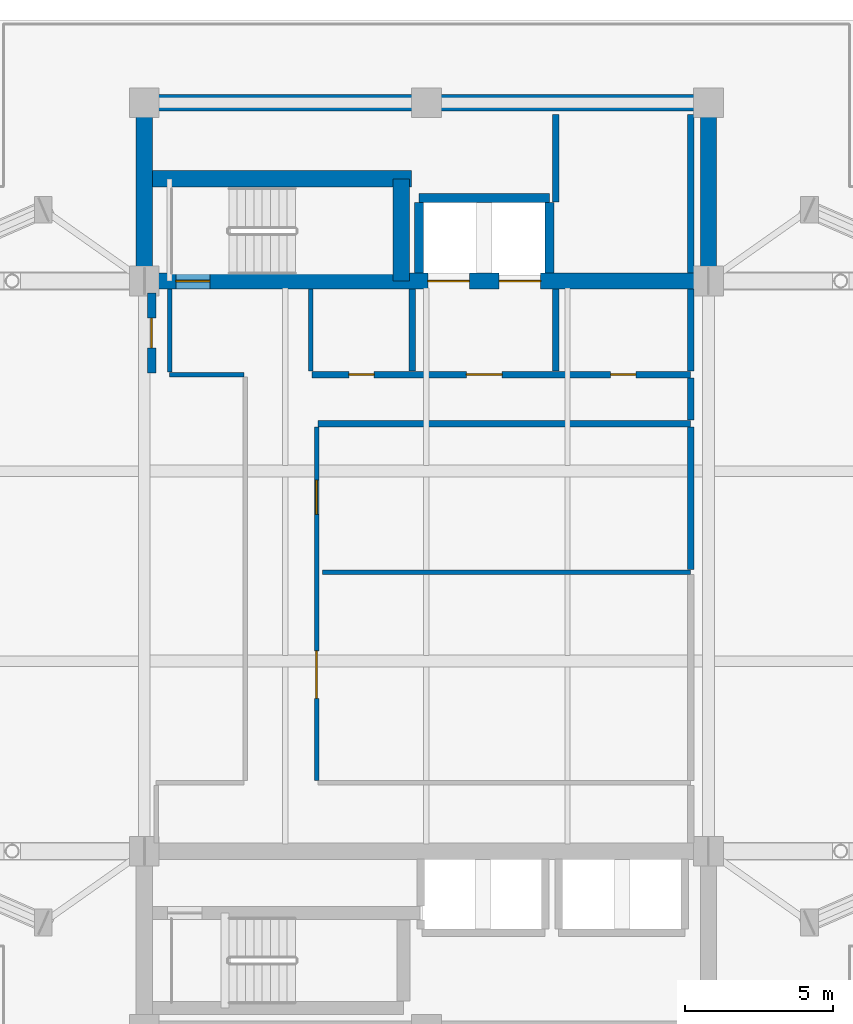
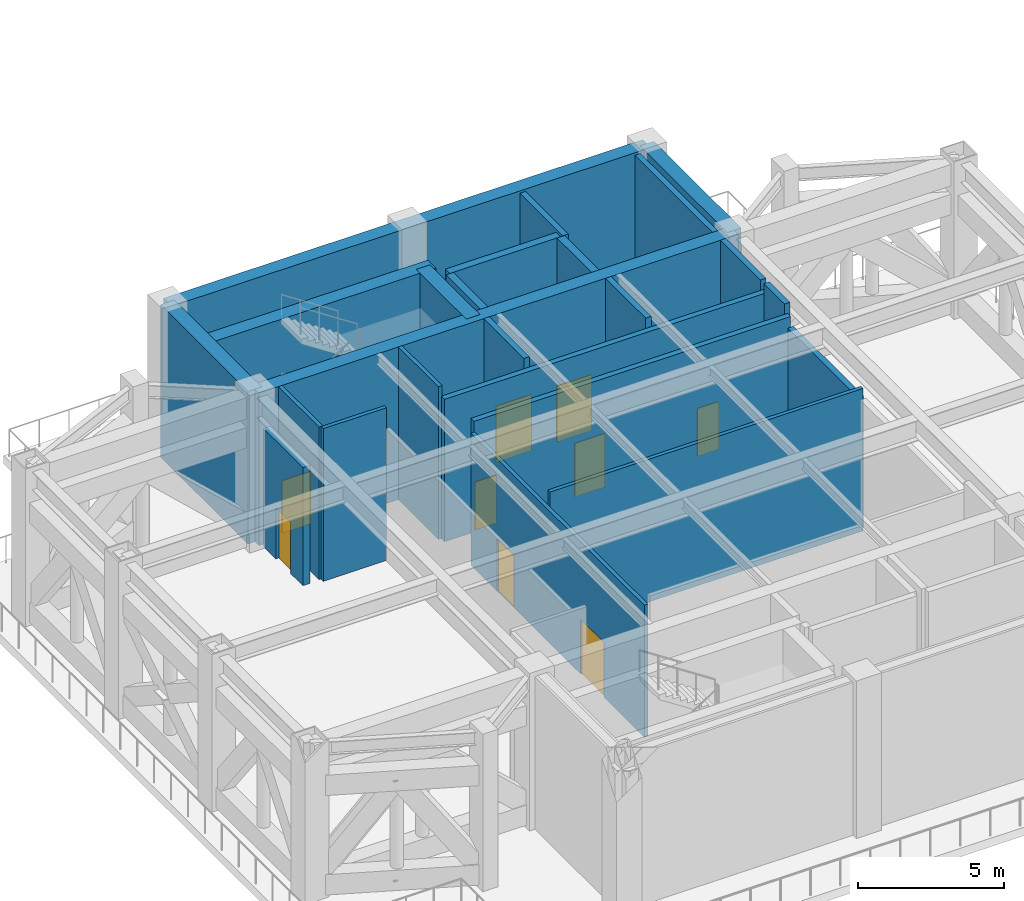
# One storey, part 10 of 18: 24 walls, 9 doors, 9 openings.
"""IFC4 building model written with IfcOpenShell, lengths in metres."""

from ifc_helpers import new_model, si_unit, direction, frame, frame_2d, origin, place, context, subcontext, project, spatial, rectangle, extrude, material, layer, layer_set, type_object, element, fill, save


model = new_model("IFC4")

# Units and contexts
model_context = context("Model", 3, precision=1e-05, world=origin(), true_north=direction((0.0, 1.0)))
body_context = subcontext(model_context, "Body", "Model", "MODEL_VIEW")
ifc_project = project(units=[si_unit("LENGTHUNIT", "METRE"), si_unit("AREAUNIT", "SQUARE_METRE"), si_unit("VOLUMEUNIT", "CUBIC_METRE"), si_unit("PLANEANGLEUNIT", "RADIAN"), si_unit("MASSUNIT", "GRAM", prefix="KILO")], contexts=[model_context])

# Site, building, storey
site_placement = place(None, origin())
site = spatial("IfcSite", under=ifc_project, at=site_placement, CompositionType="ELEMENT")
building_placement = place(site_placement, origin())
building = spatial("IfcBuilding", under=site, at=building_placement, Name="Mirazonda Arch Towers", CompositionType="ELEMENT")
storey_placement = place(building_placement, frame((0.0, 0.0, 147.800048828125)))
storey = spatial("IfcBuildingStorey", under=building, at=storey_placement, Name="L42", CompositionType="ELEMENT", Elevation=147.800048828125)

# Walls
ifc_material_1 = material(Name="Concrete C50/60", Category="concrete")
ifc_layer_1 = layer(ifc_material_1, 0.550048828125, Name="WALL-CORE-550")
ifc_layer_set_1 = layer_set([ifc_layer_1], Name="Concrete C50/60")
wall_type_1 = type_object("IfcWallType", Name="WALL-CORE-550", PredefinedType="SHEAR", material=ifc_layer_set_1)
wall_1_placement = place(storey_placement, frame((11.0, 43.60009765625, 0.0), z_axis=(0.0, 0.0, 1.0), x_axis=(1.0, 0.0, 0.0)))
element("IfcWall", 1, at=wall_1_placement, inside=storey, type_object=wall_type_1, Name="L42 T1N-N Core Shear Wall", PredefinedType="SHEAR", context=body_context, shape_type="SweptSolid", body=[
    extrude(rectangle(XDim=19.0, YDim=0.550048828125, at=frame_2d((9.5, 0.0))), origin(), (0.0, 0.0, 1.0), 6.39990234375),
])
for number, where, z_axis, x_axis, name in (
    (2, (11.0, 37.60009765625, 0.0), (0.0, 0.0, 1.0), (0.0, 1.0, 0.0), "L42 T1N-W Core Shear Wall"),
    (3, (30.0, 37.60009765625, 0.0), (0.0, 0.0, 1.0), (0.0, 1.0, 0.0), "L42 T1N-E Core Shear Wall"),
):
    element("IfcWall", number, at=place(storey_placement, frame(where, z_axis=z_axis, x_axis=x_axis)), inside=storey, type_object=wall_type_1, Name=name, PredefinedType="SHEAR", context=body_context, shape_type="SweptSolid", body=[
        extrude(rectangle(XDim=6.0, YDim=0.550048828125, at=frame_2d((3.0, 0.0))), origin(), (0.0, 0.0, 1.0), 6.39990234375),
    ])

# Wall, openings, doors
wall_2_placement = place(storey_placement, frame((11.0, 37.60009765625, 0.0), z_axis=(0.0, 0.0, 1.0), x_axis=(1.0, 0.0, 0.0)))
wall_2 = element("IfcWall", 4, at=wall_2_placement, inside=storey, type_object=wall_type_1, Name="L42 T1N-S Core Shear Wall", PredefinedType="SHEAR", context=body_context, shape_type="SweptSolid", body=[
    extrude(rectangle(XDim=19.0, YDim=0.550048828125, at=frame_2d((9.5, 0.0))), origin(), (0.0, 0.0, 1.0), 6.39990234375),
])
opening_1_placement = place(wall_2_placement, frame((1.06005859375, 0.0, 0.0)))
opening_1 = element("IfcOpeningElement", 5, at=opening_1_placement, cuts=wall_2, Name="Opening DR-135", PredefinedType="OPENING", context=body_context, shape_type="SweptSolid", body=[
    extrude(rectangle(XDim=1.14990234375, YDim=2.199951171875, at=frame_2d((0.574951171875, 1.10009765625))), frame((0.0, 0.284912109375, 0.0), z_axis=(0.0, -1.0, 0.0), x_axis=(1.0, 0.0, 0.0)), (0.0, 0.0, 1.0), 0.570068359375),
])
opening_2_placement = place(wall_2_placement, frame((9.550048828125, 0.0, 0.0)))
opening_2 = element("IfcOpeningElement", 6, at=opening_2_placement, cuts=wall_2, Name="Opening LD-112", PredefinedType="OPENING", context=body_context, shape_type="SweptSolid", body=[
    extrude(rectangle(XDim=1.39990234375, YDim=2.35009765625, at=frame_2d((0.699951171875, 1.175048828125))), frame((0.0, 0.284912109375, 0.0), z_axis=(0.0, -1.0, 0.0), x_axis=(1.0, 0.0, 0.0)), (0.0, 0.0, 1.0), 0.570068359375),
])
opening_3_placement = place(wall_2_placement, frame((11.949951171875, 0.0, 0.0)))
opening_3 = element("IfcOpeningElement", 7, at=opening_3_placement, cuts=wall_2, Name="Opening LD-112", PredefinedType="OPENING", context=body_context, shape_type="SweptSolid", body=[
    extrude(rectangle(XDim=1.39990234375, YDim=2.35009765625, at=frame_2d((0.699951171875, 1.175048828125))), frame((0.0, 0.284912109375, 0.0), z_axis=(0.0, -1.0, 0.0), x_axis=(1.0, 0.0, 0.0)), (0.0, 0.0, 1.0), 0.570068359375),
])
ifc_material_2 = material(Name="Architectural Brushed Steel S355", Category="steel")
door_type_1 = type_object("IfcDoorType", Name="DOOR-LIFT-FFL-1400", OperationType="NOTDEFINED", PredefinedType="DOOR", material=ifc_material_2)
door_1_placement = place(opening_2_placement, origin())
door_1 = element("IfcDoor", 8, at=door_1_placement, inside=storey, type_object=door_type_1, Name="L42 Lift Landing Sliding Door FFL-T1", OperationType="DOUBLE_DOOR_SLIDING", OverallHeight=2.35009765625, OverallWidth=1.39990234375, PredefinedType="DOOR", context=body_context, shape_type="SweptSolid", body=[
    extrude(rectangle(XDim=1.39990234375, YDim=2.35009765625, at=frame_2d((0.699951171875, 1.175048828125))), frame((0.0, 0.02490234375, 0.0), z_axis=(0.0, -1.0, 0.0), x_axis=(1.0, 0.0, 0.0)), (0.0, 0.0, 1.0), 0.050048828125),
])
fill(opening_2, door_1)
door_2_placement = place(opening_3_placement, origin())
door_2 = element("IfcDoor", 9, at=door_2_placement, inside=storey, type_object=door_type_1, Name="L42 Lift Landing Sliding Door SVL-T1", OperationType="DOUBLE_DOOR_SLIDING", OverallHeight=2.35009765625, OverallWidth=1.39990234375, PredefinedType="DOOR", context=body_context, shape_type="SweptSolid", body=[
    extrude(rectangle(XDim=1.39990234375, YDim=2.35009765625, at=frame_2d((0.699951171875, 1.175048828125))), frame((0.0, 0.02490234375, 0.0), z_axis=(0.0, -1.0, 0.0), x_axis=(1.0, 0.0, 0.0)), (0.0, 0.0, 1.0), 0.050048828125),
])
fill(opening_3, door_2)
door_type_2 = type_object("IfcDoorType", Name="DOOR-STAIR-FD90-1150", OperationType="NOTDEFINED", PredefinedType="DOOR", material=ifc_material_2)
door_3_placement = place(opening_1_placement, origin())
door_3 = element("IfcDoor", 10, at=door_3_placement, inside=storey, type_object=door_type_2, Name="L42 Protected Exit Stair North Door", OperationType="SINGLE_SWING_RIGHT", OverallHeight=2.199951171875, OverallWidth=1.14990234375, PredefinedType="DOOR", context=body_context, shape_type="SweptSolid", body=[
    extrude(rectangle(XDim=1.14990234375, YDim=2.199951171875, at=frame_2d((0.574951171875, 1.10009765625))), frame((0.0, 0.02490234375, 0.0), z_axis=(0.0, -1.0, 0.0), x_axis=(1.0, 0.0, 0.0)), (0.0, 0.0, 1.0), 0.050048828125),
])
fill(opening_1, door_3)

# Walls
wall_3_placement = place(storey_placement, frame((11.0, 41.04296875, 0.0), z_axis=(0.0, 0.0, 1.0), x_axis=(1.0, 0.0, 0.0)))
element("IfcWall", 11, at=wall_3_placement, inside=storey, type_object=wall_type_1, Name="L42 T1N-STN Core Shear Wall", PredefinedType="SHEAR", context=body_context, shape_type="SweptSolid", body=[
    extrude(rectangle(XDim=9.0, YDim=0.550048828125, at=frame_2d((4.5, 0.0))), origin(), (0.0, 0.0, 1.0), 6.39990234375),
])
wall_4_placement = place(storey_placement, frame((19.64990234375, 37.60009765625, 0.0), z_axis=(0.0, 0.0, 1.0), x_axis=(0.0, 1.0, 0.0)))
element("IfcWall", 12, at=wall_4_placement, inside=storey, type_object=wall_type_1, Name="L42 T1N-STE Core Shear Wall", PredefinedType="SHEAR", context=body_context, shape_type="SweptSolid", body=[
    extrude(rectangle(XDim=3.44287109375, YDim=0.550048828125, at=frame_2d((1.721435546875, 0.0))), origin(), (0.0, 0.0, 1.0), 6.39990234375),
])

# Wall, opening, door
ifc_material_3 = material(Name="Precast Concrete C40/50", Category="concrete")
ifc_layer_2 = layer(ifc_material_3, 0.280029296875, Name="WALL-EXT-WALL-280")
ifc_layer_set_2 = layer_set([ifc_layer_2], Name="Precast Concrete C40/50")
wall_type_2 = type_object("IfcWallType", Name="WALL-EXT-WALL-280", PredefinedType="SOLIDWALL", material=ifc_layer_set_2)
wall_5_placement = place(storey_placement, frame((11.25, 37.199951171875, 0.0), z_axis=(0.0, 0.0, 1.0), x_axis=(0.0, -1.0, 0.0)))
wall_5 = element("IfcWall", 13, at=wall_5_placement, inside=storey, type_object=wall_type_2, Name="L42 L42 Wind-Portal Deck Maintenance Access Wall WL-L42-DECKACC", PredefinedType="SOLIDWALL", context=body_context, shape_type="SweptSolid", body=[
    extrude(rectangle(XDim=2.699951171875, YDim=0.280029296875, at=frame_2d((1.35009765625, 0.0))), origin(), (0.0, 0.0, 1.0), 4.949951171875),
])
opening_4_placement = place(wall_5_placement, frame((0.85009765625, 0.0, 0.0)))
opening_4 = element("IfcOpeningElement", 14, at=opening_4_placement, cuts=wall_5, Name="Opening DR-110", PredefinedType="OPENING", context=body_context, shape_type="SweptSolid", body=[
    extrude(rectangle(XDim=1.0, YDim=2.14990234375, at=frame_2d((0.5, 1.074951171875))), frame((0.0, 0.14990234375, 0.0), z_axis=(0.0, -1.0, 0.0), x_axis=(1.0, 0.0, 0.0)), (0.0, 0.0, 1.0), 0.300048828125),
])
door_type_3 = type_object("IfcDoorType", Name="DOOR-ROOF-EXT-1000", OperationType="NOTDEFINED", PredefinedType="DOOR", material=ifc_material_2)
door_4_placement = place(opening_4_placement, origin())
door_4 = element("IfcDoor", 15, at=door_4_placement, inside=storey, type_object=door_type_3, Name="L42 Exterior Door DR-DECK-L42", OperationType="SINGLE_SWING_LEFT", OverallHeight=2.14990234375, OverallWidth=1.0, PredefinedType="DOOR", context=body_context, shape_type="SweptSolid", body=[
    extrude(rectangle(XDim=1.0, YDim=2.14990234375, at=frame_2d((0.5, 1.074951171875))), frame((0.0, 0.02490234375, 0.0), z_axis=(0.0, -1.0, 0.0), x_axis=(1.0, 0.0, 0.0)), (0.0, 0.0, 1.0), 0.050048828125),
])
fill(opening_4, door_4)

# Wall
ifc_material_4 = material(Name="Concrete C40/50", Category="concrete")
ifc_layer_3 = layer(ifc_material_4, 0.219970703125, Name="WALL-FFL-220")
ifc_layer_set_3 = layer_set([ifc_layer_3], Name="Concrete C40/50")
wall_type_3 = type_object("IfcWallType", Name="WALL-FFL-220", PredefinedType="SOLIDWALL", material=ifc_layer_set_3)
wall_6_placement = place(storey_placement, frame((16.85009765625, 32.800048828125, 0.0), z_axis=(0.0, 0.0, 1.0), x_axis=(1.0, 0.0, 0.0)))
element("IfcWall", 16, at=wall_6_placement, inside=storey, type_object=wall_type_3, Name="L42 Interior Partition 016", PredefinedType="SOLIDWALL", context=body_context, shape_type="SweptSolid", body=[
    extrude(rectangle(XDim=12.5498046875, YDim=0.219970703125, at=frame_2d((6.27490234375, 0.0))), origin(), (0.0, 0.0, 1.0), 5.974853515625),
])

# Wall, openings, doors
wall_7_placement = place(storey_placement, frame((16.639892578125, 34.449951171875, 0.0), z_axis=(0.0, 0.0, 1.0), x_axis=(1.0, 0.0, 0.0)))
wall_7 = element("IfcWall", 17, at=wall_7_placement, inside=storey, type_object=wall_type_3, Name="L42 Interior Partition 018", PredefinedType="SOLIDWALL", context=body_context, shape_type="SweptSolid", body=[
    extrude(rectangle(XDim=12.760009765625, YDim=0.219970703125, at=frame_2d((6.3798828125, 0.0))), origin(), (0.0, 0.0, 1.0), 5.974853515625),
])
opening_5_placement = place(wall_7_placement, frame((5.2099609375, 0.0, 0.0)))
opening_5 = element("IfcOpeningElement", 18, at=opening_5_placement, cuts=wall_7, Name="Opening DR-117", PredefinedType="OPENING", context=body_context, shape_type="SweptSolid", body=[
    extrude(rectangle(XDim=1.199951171875, YDim=2.25, at=frame_2d((0.60009765625, 1.125))), frame((0.0, 0.119873046875, 0.0), z_axis=(0.0, -1.0, 0.0), x_axis=(1.0, 0.0, 0.0)), (0.0, 0.0, 1.0), 0.239990234375),
])
opening_6_placement = place(wall_7_placement, frame((10.06494140625, 0.0, 0.0)))
opening_6 = element("IfcOpeningElement", 19, at=opening_6_placement, cuts=wall_7, Name="Opening DR-128", PredefinedType="OPENING", context=body_context, shape_type="SweptSolid", body=[
    extrude(rectangle(XDim=0.85009765625, YDim=2.010009765625, at=frame_2d((0.425048828125, 1.0048828125))), frame((0.0, 0.119873046875, 0.0), z_axis=(0.0, -1.0, 0.0), x_axis=(1.0, 0.0, 0.0)), (0.0, 0.0, 1.0), 0.239990234375),
])
opening_7_placement = place(wall_7_placement, frame((1.25, 0.0, 0.0)))
opening_7 = element("IfcOpeningElement", 20, at=opening_7_placement, cuts=wall_7, Name="Opening DR-128", PredefinedType="OPENING", context=body_context, shape_type="SweptSolid", body=[
    extrude(rectangle(XDim=0.85009765625, YDim=2.010009765625, at=frame_2d((0.425048828125, 1.0048828125))), frame((0.0, 0.119873046875, 0.0), z_axis=(0.0, -1.0, 0.0), x_axis=(1.0, 0.0, 0.0)), (0.0, 0.0, 1.0), 0.239990234375),
])
door_type_4 = type_object("IfcDoorType", Name="DOOR-FFL-FD90-1200", OperationType="NOTDEFINED", PredefinedType="DOOR", material=ifc_material_2)
door_5_placement = place(opening_5_placement, origin())
door_5 = element("IfcDoor", 21, at=door_5_placement, inside=storey, type_object=door_type_4, Name="L42 Firefighting Lift Lobby Door", OperationType="SINGLE_SWING_LEFT", OverallHeight=2.25, OverallWidth=1.199951171875, PredefinedType="DOOR", context=body_context, shape_type="SweptSolid", body=[
    extrude(rectangle(XDim=1.199951171875, YDim=2.25, at=frame_2d((0.60009765625, 1.125))), frame((0.0, 0.02490234375, 0.0), z_axis=(0.0, -1.0, 0.0), x_axis=(1.0, 0.0, 0.0)), (0.0, 0.0, 1.0), 0.050048828125),
])
fill(opening_5, door_5)
door_type_5 = type_object("IfcDoorType", Name="DOOR-RISER-FD60-850", OperationType="NOTDEFINED", PredefinedType="DOOR", material=ifc_material_2)
door_6_placement = place(opening_6_placement, origin())
door_6 = element("IfcDoor", 22, at=door_6_placement, inside=storey, type_object=door_type_5, Name="L42 Mechanical Exhaust & Riser Plant Room Door", OperationType="SINGLE_SWING_RIGHT", OverallHeight=2.010009765625, OverallWidth=0.85009765625, PredefinedType="DOOR", context=body_context, shape_type="SweptSolid", body=[
    extrude(rectangle(XDim=0.85009765625, YDim=2.010009765625, at=frame_2d((0.425048828125, 1.0048828125))), frame((0.0, 0.02490234375, 0.0), z_axis=(0.0, -1.0, 0.0), x_axis=(1.0, 0.0, 0.0)), (0.0, 0.0, 1.0), 0.050048828125),
])
fill(opening_6, door_6)
door_7_placement = place(opening_7_placement, origin())
door_7 = element("IfcDoor", 23, at=door_7_placement, inside=storey, type_object=door_type_5, Name="L42 Electrical & Housekeeping Service Room Door", OperationType="SINGLE_SWING_LEFT", OverallHeight=2.010009765625, OverallWidth=0.85009765625, PredefinedType="DOOR", context=body_context, shape_type="SweptSolid", body=[
    extrude(rectangle(XDim=0.85009765625, YDim=2.010009765625, at=frame_2d((0.425048828125, 1.0048828125))), frame((0.0, 0.02490234375, 0.0), z_axis=(0.0, -1.0, 0.0), x_axis=(1.0, 0.0, 0.0)), (0.0, 0.0, 1.0), 0.050048828125),
])
fill(opening_7, door_7)

# Walls
for number, where, z_axis, x_axis, name in (
    (24, (20.02490234375, 34.570068359375, 0.0), (0.0, 0.0, 1.0), (0.0, 1.0, 0.0), "L42 Interior Partition 028"),
    (25, (24.85009765625, 34.570068359375, 0.0), (0.0, 0.0, 1.0), (0.0, 1.0, 0.0), "L42 Interior Partition 035"),
):
    element("IfcWall", number, at=place(storey_placement, frame(where, z_axis=z_axis, x_axis=x_axis)), inside=storey, type_object=wall_type_3, Name=name, PredefinedType="SOLIDWALL", context=body_context, shape_type="SweptSolid", body=[
        extrude(rectangle(XDim=2.760009765625, YDim=0.219970703125, at=frame_2d((1.3798828125, 0.0))), origin(), (0.0, 0.0, 1.0), 6.39990234375),
    ])
wall_8_placement = place(storey_placement, frame((24.85009765625, 40.260009765625, 0.0), z_axis=(0.0, 0.0, 1.0), x_axis=(0.0, 1.0, 0.0)))
element("IfcWall", 26, at=wall_8_placement, inside=storey, type_object=wall_type_3, Name="L42 Interior Partition 036", PredefinedType="SOLIDWALL", context=body_context, shape_type="SweptSolid", body=[
    extrude(rectangle(XDim=2.93994140625, YDim=0.219970703125, at=frame_2d((1.469970703125, 0.0))), origin(), (0.0, 0.0, 1.0), 6.39990234375),
])
wall_9_placement = place(storey_placement, frame((29.39990234375, 27.885009765625, 0.0), z_axis=(0.0, 0.0, 1.0), x_axis=(0.0, 1.0, 0.0)))
element("IfcWall", 27, at=wall_9_placement, inside=storey, type_object=wall_type_3, Name="L42 Interior Partition 040", PredefinedType="SOLIDWALL", context=body_context, shape_type="SweptSolid", body=[
    extrude(rectangle(XDim=4.794921875, YDim=0.219970703125, at=frame_2d((2.3974609375, 0.0))), origin(), (0.0, 0.0, 1.0), 5.535888671875),
])
wall_10_placement = place(storey_placement, frame((29.39990234375, 32.919921875, 0.0), z_axis=(0.0, 0.0, 1.0), x_axis=(0.0, 1.0, 0.0)))
element("IfcWall", 28, at=wall_10_placement, inside=storey, type_object=wall_type_3, Name="L42 Interior Partition 041", PredefinedType="SOLIDWALL", context=body_context, shape_type="SweptSolid", body=[
    extrude(rectangle(XDim=1.41015625, YDim=0.219970703125, at=frame_2d((0.705078125, 0.0))), origin(), (0.0, 0.0, 1.0), 6.39990234375),
])
wall_11_placement = place(storey_placement, frame((29.39990234375, 34.570068359375, 0.0), z_axis=(0.0, 0.0, 1.0), x_axis=(0.0, 1.0, 0.0)))
element("IfcWall", 29, at=wall_11_placement, inside=storey, type_object=wall_type_3, Name="L42 Interior Partition 042", PredefinedType="SOLIDWALL", context=body_context, shape_type="SweptSolid", body=[
    extrude(rectangle(XDim=2.760009765625, YDim=0.219970703125, at=frame_2d((1.3798828125, 0.0))), origin(), (0.0, 0.0, 1.0), 6.39990234375),
])
wall_12_placement = place(storey_placement, frame((29.39990234375, 37.8701171875, 0.0), z_axis=(0.0, 0.0, 1.0), x_axis=(0.0, 1.0, 0.0)))
element("IfcWall", 30, at=wall_12_placement, inside=storey, type_object=wall_type_3, Name="L42 Interior Partition 043", PredefinedType="SOLIDWALL", context=body_context, shape_type="SweptSolid", body=[
    extrude(rectangle(XDim=5.329833984375, YDim=0.219970703125, at=frame_2d((2.6650390625, 0.0))), origin(), (0.0, 0.0, 1.0), 6.39990234375),
])
ifc_material_5 = material(Name="Fire-Rated Gypsum Stud Partition")
ifc_layer_4 = layer(ifc_material_5, 0.14990234375, Name="WALL-PART-CORR-150")
ifc_layer_set_4 = layer_set([ifc_layer_4], Name="Fire-Rated Gypsum Stud Partition")
wall_type_4 = type_object("IfcWallType", Name="WALL-PART-CORR-150", PredefinedType="PARTITIONING", material=ifc_layer_set_4)
wall_13_placement = place(storey_placement, frame((17.0, 27.800048828125, 0.0), z_axis=(0.0, 0.0, 1.0), x_axis=(1.0, 0.0, 0.0)))
element("IfcWall", 31, at=wall_13_placement, inside=storey, type_object=wall_type_4, Name="L42 Interior Partition 012", PredefinedType="PARTITIONING", context=body_context, shape_type="SweptSolid", body=[
    extrude(rectangle(XDim=12.39990234375, YDim=0.14990234375, at=frame_2d((6.199951171875, 0.0))), origin(), (0.0, 0.0, 1.0), 5.974853515625),
])
wall_14_placement = place(storey_placement, frame((11.85009765625, 34.449951171875, 0.0), z_axis=(0.0, 0.0, 1.0), x_axis=(1.0, 0.0, 0.0)))
element("IfcWall", 32, at=wall_14_placement, inside=storey, type_object=wall_type_4, Name="L42 Interior Partition 017", PredefinedType="PARTITIONING", context=body_context, shape_type="SweptSolid", body=[
    extrude(rectangle(XDim=2.5, YDim=0.14990234375, at=frame_2d((1.25, 0.0))), origin(), (0.0, 0.0, 1.0), 6.39990234375),
])
wall_15_placement = place(storey_placement, frame((11.85009765625, 34.534912109375, 0.0), z_axis=(0.0, 0.0, 1.0), x_axis=(0.0, 1.0, 0.0)))
element("IfcWall", 33, at=wall_15_placement, inside=storey, type_object=wall_type_4, Name="L42 Interior Partition 023", PredefinedType="PARTITIONING", context=body_context, shape_type="SweptSolid", body=[
    extrude(rectangle(XDim=2.795166015625, YDim=0.14990234375, at=frame_2d((1.3974609375, 0.0))), origin(), (0.0, 0.0, 1.0), 6.39990234375),
])
wall_16_placement = place(storey_placement, frame((16.60009765625, 34.570068359375, 0.0), z_axis=(0.0, 0.0, 1.0), x_axis=(0.0, 1.0, 0.0)))
element("IfcWall", 34, at=wall_16_placement, inside=storey, type_object=wall_type_4, Name="L42 Interior Partition 025", PredefinedType="PARTITIONING", context=body_context, shape_type="SweptSolid", body=[
    extrude(rectangle(XDim=2.760009765625, YDim=0.14990234375, at=frame_2d((1.3798828125, 0.0))), origin(), (0.0, 0.0, 1.0), 6.39990234375),
])

# Wall, openings, doors
wall_17_placement = place(storey_placement, frame((16.800048828125, 20.784912109375, 0.0), z_axis=(0.0, 0.0, 1.0), x_axis=(0.0, 1.0, 0.0)))
wall_17 = element("IfcWall", 35, at=wall_17_placement, inside=storey, type_object=wall_type_4, Name="L42 Interior Partition 026", PredefinedType="PARTITIONING", context=body_context, shape_type="SweptSolid", body=[
    extrude(rectangle(XDim=11.89501953125, YDim=0.14990234375, at=frame_2d((5.947509765625, 0.0))), origin(), (0.0, 0.0, 1.0), 5.535888671875),
])
opening_8_placement = place(wall_17_placement, frame((8.9599609375, 0.0, 0.0)))
opening_8 = element("IfcOpeningElement", 36, at=opening_8_placement, cuts=wall_17, Name="Opening DR-135", PredefinedType="OPENING", context=body_context, shape_type="SweptSolid", body=[
    extrude(rectangle(XDim=1.14990234375, YDim=2.199951171875, at=frame_2d((0.574951171875, 1.10009765625))), frame((0.0, 0.0849609375, 0.0), z_axis=(0.0, -1.0, 0.0), x_axis=(1.0, 0.0, 0.0)), (0.0, 0.0, 1.0), 0.169921875),
])
opening_9_placement = place(wall_17_placement, frame((2.764892578125, 0.0, 0.0)))
opening_9 = element("IfcOpeningElement", 37, at=opening_9_placement, cuts=wall_17, Name="Opening DR-113", PredefinedType="OPENING", context=body_context, shape_type="SweptSolid", body=[
    extrude(rectangle(XDim=1.60009765625, YDim=2.300048828125, at=frame_2d((0.800048828125, 1.14990234375))), frame((0.0, 0.0849609375, 0.0), z_axis=(0.0, -1.0, 0.0), x_axis=(1.0, 0.0, 0.0)), (0.0, 0.0, 1.0), 0.169921875),
])
door_type_6 = type_object("IfcDoorType", Name="DOOR-PLANT-FD60-1600", OperationType="NOTDEFINED", PredefinedType="DOOR", material=ifc_material_2)
door_8_placement = place(opening_9_placement, origin())
door_8 = element("IfcDoor", 38, at=door_8_placement, inside=storey, type_object=door_type_6, Name="L42 L42 Tower 1 Primary Air-Handling Plant Room Door", OperationType="SINGLE_SWING_RIGHT", OverallHeight=2.300048828125, OverallWidth=1.60009765625, PredefinedType="DOOR", context=body_context, shape_type="SweptSolid", body=[
    extrude(rectangle(XDim=1.60009765625, YDim=2.300048828125, at=frame_2d((0.800048828125, 1.14990234375))), frame((0.0, 0.02490234375, 0.0), z_axis=(0.0, -1.0, 0.0), x_axis=(1.0, 0.0, 0.0)), (0.0, 0.0, 1.0), 0.050048828125),
])
fill(opening_9, door_8)
door_9_placement = place(opening_8_placement, origin())
door_9 = element("IfcDoor", 39, at=door_9_placement, inside=storey, type_object=door_type_2, Name="L42 L42 Tower 1 Pressurized Sky-Refuge Area Door", OperationType="SINGLE_SWING_LEFT", OverallHeight=2.199951171875, OverallWidth=1.14990234375, PredefinedType="DOOR", context=body_context, shape_type="SweptSolid", body=[
    extrude(rectangle(XDim=1.14990234375, YDim=2.199951171875, at=frame_2d((0.574951171875, 1.10009765625))), frame((0.0, 0.02490234375, 0.0), z_axis=(0.0, -1.0, 0.0), x_axis=(1.0, 0.0, 0.0)), (0.0, 0.0, 1.0), 0.050048828125),
])
fill(opening_8, door_9)

# Walls
ifc_layer_5 = layer(ifc_material_1, 0.300048828125, Name="WALL-SHAFT-300")
ifc_layer_set_5 = layer_set([ifc_layer_5], Name="Concrete C50/60")
wall_type_5 = type_object("IfcWallType", Name="WALL-SHAFT-300", PredefinedType="SOLIDWALL", material=ifc_layer_set_5)
wall_18_placement = place(storey_placement, frame((20.25, 40.39990234375, 0.0), z_axis=(0.0, 0.0, 1.0), x_axis=(1.0, 0.0, 0.0)))
element("IfcWall", 40, at=wall_18_placement, inside=storey, type_object=wall_type_5, Name="L42 Interior Partition 021", PredefinedType="SOLIDWALL", context=body_context, shape_type="SweptSolid", body=[
    extrude(rectangle(XDim=4.39990234375, YDim=0.300048828125, at=frame_2d((2.199951171875, 0.0))), origin(), (0.0, 0.0, 1.0), 6.39990234375),
])
for number, where, z_axis, x_axis, name in (
    (41, (20.25, 37.8701171875, 0.0), (0.0, 0.0, 1.0), (0.0, 1.0, 0.0), "L42 Interior Partition 031"),
    (42, (24.64990234375, 37.8701171875, 0.0), (0.0, 0.0, 1.0), (0.0, 1.0, 0.0), "L42 Interior Partition 033"),
):
    element("IfcWall", number, at=place(storey_placement, frame(where, z_axis=z_axis, x_axis=x_axis)), inside=storey, type_object=wall_type_5, Name=name, PredefinedType="SOLIDWALL", context=body_context, shape_type="SweptSolid", body=[
        extrude(rectangle(XDim=2.369873046875, YDim=0.300048828125, at=frame_2d((1.18505859375, 0.0))), origin(), (0.0, 0.0, 1.0), 6.39990234375),
    ])

save(model, "model.ifc")
